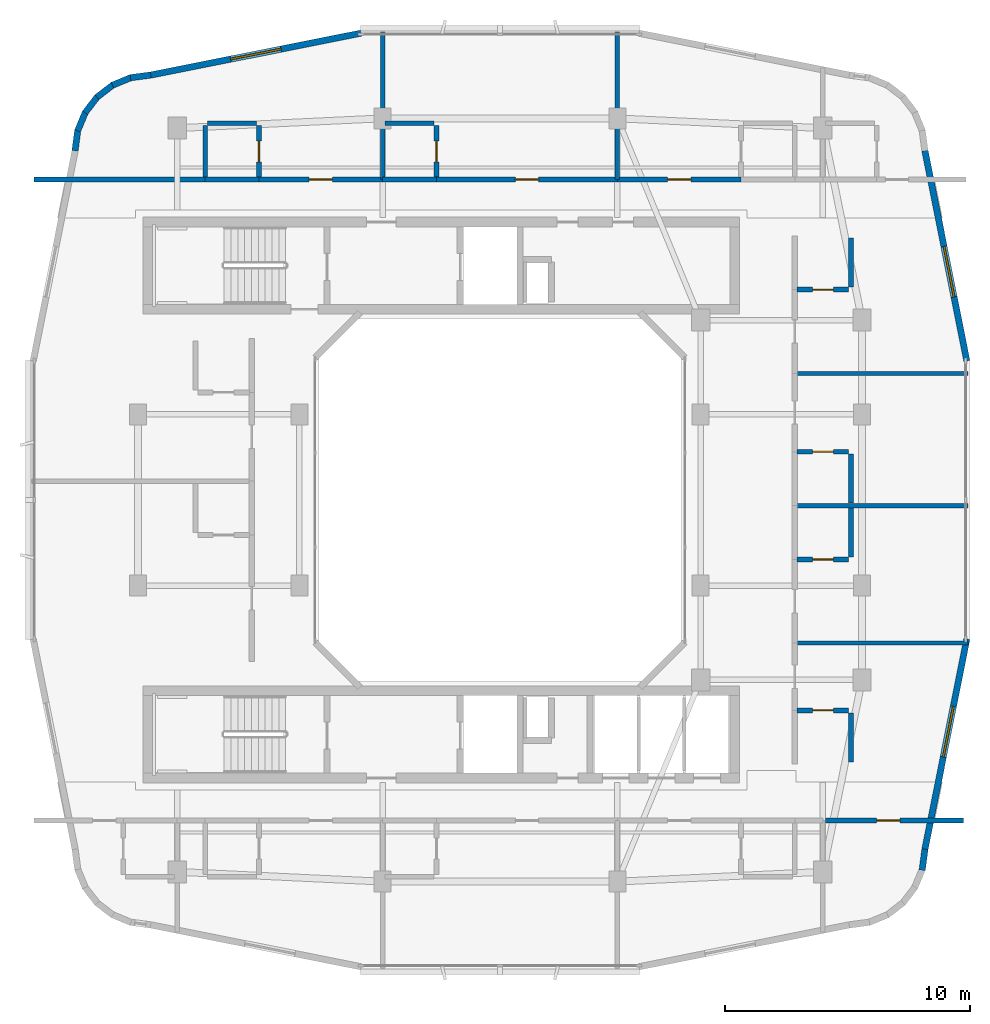
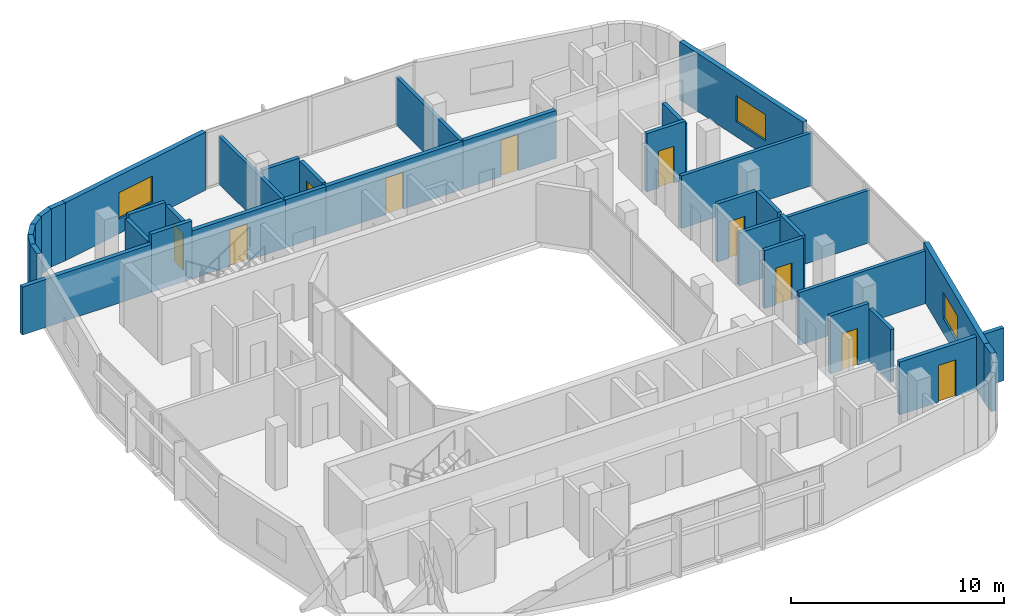
# One storey, part 9 of 14: 35 walls, 10 doors, 3 windows, 13 openings.
"""IFC4 building model written with IfcOpenShell, lengths in metres."""

from ifc_helpers import new_model, si_unit, derived_unit, direction, frame, frame_2d, origin, place, context, subcontext, project, spatial, rectangle, extrude, material, layer, layer_set, type_object, element, fill, save


model = new_model("IFC4")

# Units and contexts
model_context = context("Model", 3, precision=1e-05, world=origin(), true_north=direction((0.0, 1.0)))
body_context = subcontext(model_context, "Body", "Model", "MODEL_VIEW")
ifc_project = project(units=[si_unit("LENGTHUNIT", "METRE"), si_unit("AREAUNIT", "SQUARE_METRE"), si_unit("VOLUMEUNIT", "CUBIC_METRE"), si_unit("PLANEANGLEUNIT", "RADIAN"), si_unit("MASSUNIT", "GRAM", prefix="KILO"), derived_unit("THERMALTRANSMITTANCEUNIT", [(si_unit("POWERUNIT", "WATT"), 1), (si_unit("LENGTHUNIT", "METRE"), -2), (si_unit("THERMODYNAMICTEMPERATUREUNIT", "KELVIN"), -1)])], contexts=[model_context])

# Site, building, storey
site_placement = place(None, origin())
site = spatial("IfcSite", under=ifc_project, at=site_placement, CompositionType="ELEMENT")
building_placement = place(site_placement, origin())
building = spatial("IfcBuilding", under=site, at=building_placement, Name="Kivonza Crest Hotel", CompositionType="ELEMENT")
storey_placement = place(building_placement, frame((0.0, 0.0, 227.89990234375)))
storey = spatial("IfcBuildingStorey", under=building, at=storey_placement, Name="L62", CompositionType="ELEMENT", Elevation=227.89990234375)

# Walls
ifc_material_1 = material(Name="High-density acoustic masonry inter-tenancy wall", Category="masonry")
ifc_layer_1 = layer(ifc_material_1, 0.179931640625)
ifc_layer_set_1 = layer_set([ifc_layer_1], Name="High-density acoustic masonry inter-tenancy wall")
wall_type_1 = type_object("IfcWallType", Name="WL-ACOU-180", PredefinedType="SOLIDWALL", material=ifc_layer_set_1)
for number, where, z_axis, x_axis, name in (
    (1, (16.199951171875, 38.10009765625, 0.0), (0.0, 0.0, 1.0), (0.0, 1.0, 0.0), "L62 interior partition WA-L62-T1N-DIV1"),
    (2, (25.800048828125, 38.10009765625, 0.0), (0.0, 0.0, 1.0), (0.0, 1.0, 0.0), "L62 interior partition WA-L62-T1N-DIV2"),
):
    element("IfcWall", number, at=place(storey_placement, frame(where, z_axis=z_axis, x_axis=x_axis)), inside=storey, type_object=wall_type_1, Name=name, PredefinedType="SOLIDWALL", context=body_context, shape_type="SweptSolid", body=[
        extrude(rectangle(XDim=6.039794921875, YDim=0.179931640625, at=frame_2d((3.02001953125, 0.0))), origin(), (0.0, 0.0, 1.0), 2.7451171875),
    ])
wall_1_placement = place(storey_placement, frame((33.050048828125, 19.156005859375, 0.0), z_axis=(0.0, 0.0, 1.0), x_axis=(1.0, 0.0, 0.0)))
element("IfcWall", 3, at=wall_1_placement, inside=storey, type_object=wall_type_1, Name="L62 interior partition WA-L62-T1E-DIV1", PredefinedType="SOLIDWALL", context=body_context, shape_type="SweptSolid", body=[
    extrude(rectangle(XDim=7.072021484375, YDim=0.179931640625, at=frame_2d((3.5361328125, 0.0))), origin(), (0.0, 0.0, 1.0), 3.01513671875),
])
for number, where, z_axis, x_axis, name in (
    (4, (33.050048828125, 24.77197265625, 0.0), (0.0, 0.0, 1.0), (1.0, 0.0, 0.0), "L62 interior partition WA-L62-T1E-DIV2"),
    (5, (33.050048828125, 30.172119140625, 0.0), (0.0, 0.0, 1.0), (1.0, 0.0, 0.0), "L62 interior partition WA-L62-T1E-DIV3"),
):
    element("IfcWall", number, at=place(storey_placement, frame(where, z_axis=z_axis, x_axis=x_axis)), inside=storey, type_object=wall_type_1, Name=name, PredefinedType="SOLIDWALL", context=body_context, shape_type="SweptSolid", body=[
        extrude(rectangle(XDim=7.08984375, YDim=0.179931640625, at=frame_2d((3.544921875, 0.0))), origin(), (0.0, 0.0, 1.0), 3.01513671875),
    ])
ifc_material_2 = material(Name="Autoclaved aerated concrete blockwork", Category="masonry")
ifc_layer_2 = layer(ifc_material_2, 0.219970703125)
ifc_layer_set_2 = layer_set([ifc_layer_2], Name="Autoclaved aerated concrete blockwork")
wall_type_2 = type_object("IfcWallType", Name="WL-ACOU-220", PredefinedType="SOLIDWALL", material=ifc_layer_set_2)
wall_2_placement = place(storey_placement, frame((1.9599609375, 38.10009765625, 0.0), z_axis=(0.0, 0.0, 1.0), x_axis=(1.0, 0.0, 0.0)))
element("IfcWall", 6, at=wall_2_placement, inside=storey, type_object=wall_type_2, Name="L62 interior partition WA-L62-N01-XCORR", PredefinedType="SOLIDWALL", context=body_context, shape_type="SweptSolid", body=[
    extrude(rectangle(XDim=6.989990234375, YDim=0.219970703125, at=frame_2d((3.4951171875, 0.0))), origin(), (0.0, 0.0, 1.0), 2.7451171875),
])
wall_3_placement = place(storey_placement, frame((8.949951171875, 38.10009765625, 0.0), z_axis=(0.0, 0.0, 1.0), x_axis=(1.0, 0.0, 0.0)))
element("IfcWall", 7, at=wall_3_placement, inside=storey, type_object=wall_type_2, Name="L62 interior partition WA-L62-N01-BCORR", PredefinedType="SOLIDWALL", context=body_context, shape_type="SweptSolid", body=[
    extrude(rectangle(XDim=2.199951171875, YDim=0.219970703125, at=frame_2d((1.10009765625, 0.0))), origin(), (0.0, 0.0, 1.0), 3.320068359375),
])

# Wall, opening, door
wall_4_placement = place(storey_placement, frame((11.14990234375, 38.10009765625, 0.0), z_axis=(0.0, 0.0, 1.0), x_axis=(1.0, 0.0, 0.0)))
wall_4 = element("IfcWall", 8, at=wall_4_placement, inside=storey, type_object=wall_type_2, Name="L62 interior partition WA-L62-N01-MCORR", PredefinedType="SOLIDWALL", context=body_context, shape_type="SweptSolid", body=[
    extrude(rectangle(XDim=5.050048828125, YDim=0.219970703125, at=frame_2d((2.52490234375, 0.0))), origin(), (0.0, 0.0, 1.0), 2.7451171875),
])
opening_1_placement = place(wall_4_placement, frame((2.050048828125, 0.0, 0.0)))
opening_1 = element("IfcOpeningElement", 9, at=opening_1_placement, cuts=wall_4, Name="Opening DU-60", PredefinedType="OPENING", context=body_context, shape_type="SweptSolid", body=[
    extrude(rectangle(XDim=0.949951171875, YDim=2.10009765625, at=frame_2d((0.47509765625, 1.050048828125))), frame((0.0, 0.1201171875, 0.0), z_axis=(0.0, -1.0, 0.0), x_axis=(1.0, 0.0, 0.0)), (0.0, 0.0, 1.0), 0.239990234375),
])
ifc_material_3 = material(Name="Hardwood timber oak", Category="wood")
door_type_1 = type_object("IfcDoorType", Name="DR-UNIT-950", OperationType="NOTDEFINED", PredefinedType="DOOR", material=ifc_material_3)
door_1_placement = place(opening_1_placement, origin())
door_1 = element("IfcDoor", 10, at=door_1_placement, inside=storey, type_object=door_type_1, Name="L62 N01 guest unit entrance fire door", OperationType="SINGLE_SWING_LEFT", OverallHeight=2.10009765625, OverallWidth=0.949951171875, PredefinedType="DOOR", context=body_context, shape_type="SweptSolid", body=[
    extrude(rectangle(XDim=0.949951171875, YDim=2.10009765625, at=frame_2d((0.47509765625, 1.050048828125))), frame((0.0, 0.02490234375, 0.0), z_axis=(0.0, -1.0, 0.0), x_axis=(1.0, 0.0, 0.0)), (0.0, 0.0, 1.0), 0.050048828125),
])
fill(opening_1, door_1)

# Wall
wall_5_placement = place(storey_placement, frame((16.199951171875, 38.10009765625, 0.0), z_axis=(0.0, 0.0, 1.0), x_axis=(1.0, 0.0, 0.0)))
element("IfcWall", 11, at=wall_5_placement, inside=storey, type_object=wall_type_2, Name="L62 interior partition WA-L62-N02-BCORR", PredefinedType="SOLIDWALL", context=body_context, shape_type="SweptSolid", body=[
    extrude(rectangle(XDim=2.199951171875, YDim=0.219970703125, at=frame_2d((1.10009765625, 0.0))), origin(), (0.0, 0.0, 1.0), 2.7451171875),
])

# Wall, opening, door
wall_6_placement = place(storey_placement, frame((18.39990234375, 38.10009765625, 0.0), z_axis=(0.0, 0.0, 1.0), x_axis=(1.0, 0.0, 0.0)))
wall_6 = element("IfcWall", 12, at=wall_6_placement, inside=storey, type_object=wall_type_2, Name="L62 interior partition WA-L62-N02-MCORR", PredefinedType="SOLIDWALL", context=body_context, shape_type="SweptSolid", body=[
    extrude(rectangle(XDim=7.400146484375, YDim=0.219970703125, at=frame_2d((3.7001953125, 0.0))), origin(), (0.0, 0.0, 1.0), 2.7451171875),
])
opening_2_placement = place(wall_6_placement, frame((3.22509765625, 0.0, 0.0)))
opening_2 = element("IfcOpeningElement", 13, at=opening_2_placement, cuts=wall_6, Name="Opening DU-60", PredefinedType="OPENING", context=body_context, shape_type="SweptSolid", body=[
    extrude(rectangle(XDim=0.949951171875, YDim=2.10009765625, at=frame_2d((0.47509765625, 1.050048828125))), frame((0.0, 0.1201171875, 0.0), z_axis=(0.0, -1.0, 0.0), x_axis=(1.0, 0.0, 0.0)), (0.0, 0.0, 1.0), 0.239990234375),
])
door_2_placement = place(opening_2_placement, origin())
door_2 = element("IfcDoor", 14, at=door_2_placement, inside=storey, type_object=door_type_1, Name="L62 N02 guest unit entrance fire door", OperationType="SINGLE_SWING_RIGHT", OverallHeight=2.10009765625, OverallWidth=0.949951171875, PredefinedType="DOOR", context=body_context, shape_type="SweptSolid", body=[
    extrude(rectangle(XDim=0.949951171875, YDim=2.10009765625, at=frame_2d((0.47509765625, 1.050048828125))), frame((0.0, 0.02490234375, 0.0), z_axis=(0.0, -1.0, 0.0), x_axis=(1.0, 0.0, 0.0)), (0.0, 0.0, 1.0), 0.050048828125),
])
fill(opening_2, door_2)

wall_7_placement = place(storey_placement, frame((25.800048828125, 38.10009765625, 0.0), z_axis=(0.0, 0.0, 1.0), x_axis=(1.0, 0.0, 0.0)))
wall_7 = element("IfcWall", 15, at=wall_7_placement, inside=storey, type_object=wall_type_2, Name="L62 interior partition WA-L62-N03-MCORR", PredefinedType="SOLIDWALL", context=body_context, shape_type="SweptSolid", body=[
    extrude(rectangle(XDim=5.050048828125, YDim=0.219970703125, at=frame_2d((2.52490234375, 0.0))), origin(), (0.0, 0.0, 1.0), 2.7451171875),
])
opening_3_placement = place(wall_7_placement, frame((2.050048828125, 0.0, 0.0)))
opening_3 = element("IfcOpeningElement", 16, at=opening_3_placement, cuts=wall_7, Name="Opening DU-60", PredefinedType="OPENING", context=body_context, shape_type="SweptSolid", body=[
    extrude(rectangle(XDim=0.949951171875, YDim=2.10009765625, at=frame_2d((0.47509765625, 1.050048828125))), frame((0.0, 0.1201171875, 0.0), z_axis=(0.0, -1.0, 0.0), x_axis=(1.0, 0.0, 0.0)), (0.0, 0.0, 1.0), 0.239990234375),
])
door_3_placement = place(opening_3_placement, origin())
door_3 = element("IfcDoor", 17, at=door_3_placement, inside=storey, type_object=door_type_1, Name="L62 N03 guest unit entrance fire door", OperationType="SINGLE_SWING_LEFT", OverallHeight=2.10009765625, OverallWidth=0.949951171875, PredefinedType="DOOR", context=body_context, shape_type="SweptSolid", body=[
    extrude(rectangle(XDim=0.949951171875, YDim=2.10009765625, at=frame_2d((0.47509765625, 1.050048828125))), frame((0.0, 0.02490234375, 0.0), z_axis=(0.0, -1.0, 0.0), x_axis=(1.0, 0.0, 0.0)), (0.0, 0.0, 1.0), 0.050048828125),
])
fill(opening_3, door_3)

wall_8_placement = place(storey_placement, frame((34.300048828125, 11.89990234375, 0.0), z_axis=(0.0, 0.0, 1.0), x_axis=(1.0, 0.0, 0.0)))
wall_8 = element("IfcWall", 18, at=wall_8_placement, inside=storey, type_object=wall_type_2, Name="L62 interior partition WA-L62-BUS-MTG-N", PredefinedType="SOLIDWALL", context=body_context, shape_type="SweptSolid", body=[
    extrude(rectangle(XDim=5.639892578125, YDim=0.219970703125, at=frame_2d((2.81982421875, 0.0))), origin(), (0.0, 0.0, 1.0), 3.01513671875),
])
opening_4_placement = place(wall_8_placement, frame((2.10009765625, 0.0, 0.0)))
opening_4 = element("IfcOpeningElement", 19, at=opening_4_placement, cuts=wall_8, Name="Opening DF-60S", PredefinedType="OPENING", context=body_context, shape_type="SweptSolid", body=[
    extrude(rectangle(XDim=0.949951171875, YDim=2.10009765625, at=frame_2d((0.47509765625, 1.050048828125))), frame((0.0, 0.1201171875, 0.0), z_axis=(0.0, -1.0, 0.0), x_axis=(1.0, 0.0, 0.0)), (0.0, 0.0, 1.0), 0.239990234375),
])
door_type_2 = type_object("IfcDoorType", Name="DR-FD60-950", OperationType="NOTDEFINED", PredefinedType="DOOR", material=ifc_material_3)
door_4_placement = place(opening_4_placement, frame((0.949951171875, 0.0, 0.0), z_axis=(0.0, 0.0, 1.0), x_axis=(-1.0, 0.0, 0.0)))
door_4 = element("IfcDoor", 20, at=door_4_placement, inside=storey, type_object=door_type_2, Name="L62 Floor Beverage Kitchen door", OperationType="SINGLE_SWING_RIGHT", OverallHeight=2.10009765625, OverallWidth=0.949951171875, PredefinedType="DOOR", context=body_context, shape_type="SweptSolid", body=[
    extrude(rectangle(XDim=0.949951171875, YDim=2.10009765625, at=frame_2d((0.47509765625, 1.050048828125))), frame((0.0, 0.02490234375, 0.0), z_axis=(0.0, -1.0, 0.0), x_axis=(1.0, 0.0, 0.0)), (0.0, 0.0, 1.0), 0.050048828125),
])
fill(opening_4, door_4)

# Wall
ifc_material_4 = material(Name="Precast concrete C40/50", Category="concrete")
ifc_layer_3 = layer(ifc_material_4, 0.260009765625)
ifc_layer_set_3 = layer_set([ifc_layer_3], Name="Precast concrete C40/50")
wall_type_3 = type_object("IfcWallType", Name="WL-EXT-260", PredefinedType="STANDARD", material=ifc_layer_set_3)
wall_9_placement = place(storey_placement, frame((38.259033203125, 9.864013671875, 0.0), z_axis=(0.0, 0.0, 1.0), x_axis=(0.130156359936, 0.991493480548, 0.0)))
element("IfcWall", 21, at=wall_9_placement, inside=storey, type_object=wall_type_3, Name="L62 T1 exterior insulated wall 15", PredefinedType="STANDARD", context=body_context, shape_type="SweptSolid", body=[
    extrude(rectangle(XDim=0.868408203125, YDim=0.260009765625, at=frame_2d((0.43408203125, 0.0))), origin(), (0.0, 0.0, 1.0), 3.320068359375),
])

# Wall, opening, window
wall_10_placement = place(storey_placement, frame((38.37109375, 10.717041015625, 0.0), z_axis=(0.0, 0.0, 1.0), x_axis=(0.195291715883, 0.980745199176, 0.0)))
wall_10 = element("IfcWall", 22, at=wall_10_placement, inside=storey, type_object=wall_type_3, Name="L62 T1 exterior insulated wall 16", PredefinedType="STANDARD", context=body_context, shape_type="SweptSolid", body=[
    extrude(rectangle(XDim=8.77099609375, YDim=0.260009765625, at=frame_2d((4.385498046875, 0.0))), origin(), (0.0, 0.0, 1.0), 3.320068359375),
])
opening_5_placement = place(wall_10_placement, frame((3.85498046875, 0.0, 0.85009765625)))
opening_5 = element("IfcOpeningElement", 23, at=opening_5_placement, cuts=wall_10, Name="Opening WN-04", PredefinedType="OPENING", context=body_context, shape_type="SweptSolid", body=[
    extrude(rectangle(XDim=2.10009765625, YDim=1.5, at=frame_2d((1.050048828125, 0.75))), frame((0.0, 0.14013671875, 0.0), z_axis=(0.0, -1.0, 0.0), x_axis=(1.0, 0.0, 0.0)), (0.0, 0.0, 1.0), 0.280029296875),
])
ifc_material_5 = material(Name="Thermally broken bronze aluminium and low-E double glazing", Category="aluminium")
window_type = type_object("IfcWindowType", Name="WN-210x150", PartitioningType="DOUBLE_PANEL_VERTICAL", PredefinedType="WINDOW", material=ifc_material_5)
window_1_placement = place(opening_5_placement, origin())
window_1 = element("IfcWindow", 24, at=window_1_placement, inside=storey, type_object=window_type, Name="L62 T1 facade window 16", OverallHeight=1.5, OverallWidth=2.10009765625, PartitioningType="SINGLE_PANEL", PredefinedType="WINDOW", context=body_context, shape_type="SweptSolid", body=[
    extrude(rectangle(XDim=2.10009765625, YDim=1.5, at=frame_2d((1.050048828125, 0.75))), frame((0.0, 0.030029296875, 0.0), z_axis=(0.0, -1.0, 0.0), x_axis=(1.0, 0.0, 0.0)), (0.0, 0.0, 1.0), 0.06005859375),
])
fill(opening_5, window_1)

wall_11_placement = place(storey_placement, frame((40.083984375, 30.680908203125, 0.0), z_axis=(0.0, 0.0, 1.0), x_axis=(-0.195291715883, 0.980745199176, 0.0)))
wall_11 = element("IfcWall", 25, at=wall_11_placement, inside=storey, type_object=wall_type_3, Name="L62 T1 exterior insulated wall 18", PredefinedType="STANDARD", context=body_context, shape_type="SweptSolid", body=[
    extrude(rectangle(XDim=8.77099609375, YDim=0.260009765625, at=frame_2d((4.385498046875, 0.0))), origin(), (0.0, 0.0, 1.0), 3.320068359375),
])
opening_6_placement = place(wall_11_placement, frame((2.669921875, 0.0, 0.85009765625)))
opening_6 = element("IfcOpeningElement", 26, at=opening_6_placement, cuts=wall_11, Name="Opening WN-04", PredefinedType="OPENING", context=body_context, shape_type="SweptSolid", body=[
    extrude(rectangle(XDim=2.10009765625, YDim=1.5, at=frame_2d((1.050048828125, 0.75))), frame((0.0, 0.14013671875, 0.0), z_axis=(0.0, -1.0, 0.0), x_axis=(1.0, 0.0, 0.0)), (0.0, 0.0, 1.0), 0.280029296875),
])
window_2_placement = place(opening_6_placement, origin())
window_2 = element("IfcWindow", 27, at=window_2_placement, inside=storey, type_object=window_type, Name="L62 T1 facade window 18", OverallHeight=1.5, OverallWidth=2.10009765625, PartitioningType="SINGLE_PANEL", PredefinedType="WINDOW", context=body_context, shape_type="SweptSolid", body=[
    extrude(rectangle(XDim=2.10009765625, YDim=1.5, at=frame_2d((1.050048828125, 0.75))), frame((0.0, 0.030029296875, 0.0), z_axis=(0.0, -1.0, 0.0), x_axis=(1.0, 0.0, 0.0)), (0.0, 0.0, 1.0), 0.06005859375),
])
fill(opening_6, window_2)

wall_12_placement = place(storey_placement, frame((15.319091796875, 44.083984375, 0.0), z_axis=(0.0, 0.0, 1.0), x_axis=(-0.980745199176, -0.195291715883, 0.0)))
wall_12 = element("IfcWall", 28, at=wall_12_placement, inside=storey, type_object=wall_type_3, Name="L62 T1 exterior insulated wall 27", PredefinedType="STANDARD", context=body_context, shape_type="SweptSolid", body=[
    extrude(rectangle(XDim=8.77099609375, YDim=0.260009765625, at=frame_2d((4.385498046875, 0.0))), origin(), (0.0, 0.0, 1.0), 3.320068359375),
])
opening_7_placement = place(wall_12_placement, frame((3.3349609375, 0.0, 0.85009765625)))
opening_7 = element("IfcOpeningElement", 29, at=opening_7_placement, cuts=wall_12, Name="Opening WN-04", PredefinedType="OPENING", context=body_context, shape_type="SweptSolid", body=[
    extrude(rectangle(XDim=2.10009765625, YDim=1.5, at=frame_2d((1.050048828125, 0.75))), frame((0.0, 0.14013671875, 0.0), z_axis=(0.0, -1.0, 0.0), x_axis=(1.0, 0.0, 0.0)), (0.0, 0.0, 1.0), 0.280029296875),
])
window_3_placement = place(opening_7_placement, origin())
window_3 = element("IfcWindow", 30, at=window_3_placement, inside=storey, type_object=window_type, Name="L62 T1 facade window 27", OverallHeight=1.5, OverallWidth=2.10009765625, PartitioningType="SINGLE_PANEL", PredefinedType="WINDOW", context=body_context, shape_type="SweptSolid", body=[
    extrude(rectangle(XDim=2.10009765625, YDim=1.5, at=frame_2d((1.050048828125, 0.75))), frame((0.0, 0.030029296875, 0.0), z_axis=(0.0, -1.0, 0.0), x_axis=(1.0, 0.0, 0.0)), (0.0, 0.0, 1.0), 0.06005859375),
])
fill(opening_7, window_3)

# Walls
wall_13_placement = place(storey_placement, frame((6.72509765625, 42.3720703125, 0.0), z_axis=(0.0, 0.0, 1.0), x_axis=(-0.9913883573, -0.130954667764, 0.0)))
element("IfcWall", 31, at=wall_13_placement, inside=storey, type_object=wall_type_3, Name="L62 T1 exterior insulated wall 28", PredefinedType="STANDARD", context=body_context, shape_type="SweptSolid", body=[
    extrude(rectangle(XDim=0.833251953125, YDim=0.260009765625, at=frame_2d((0.41650390625, 0.0))), origin(), (0.0, 0.0, 1.0), 3.320068359375),
])
wall_14_placement = place(storey_placement, frame((5.945068359375, 42.281005859375, 0.0), z_axis=(0.0, 0.0, 1.0), x_axis=(-0.923754491172, -0.382985169477, 0.0)))
element("IfcWall", 32, at=wall_14_placement, inside=storey, type_object=wall_type_3, Name="L62 T1 exterior insulated wall 29", PredefinedType="STANDARD", context=body_context, shape_type="SweptSolid", body=[
    extrude(rectangle(XDim=0.85107421875, YDim=0.260009765625, at=frame_2d((0.425537109375, 0.0))), origin(), (0.0, 0.0, 1.0), 3.320068359375),
])
for number, where, z_axis, x_axis, name in (
    (33, (5.198974609375, 41.98291015625, 0.0), (0.0, 0.0, 1.0), (-0.793999057278, -0.607918988881, 0.0), "L62 T1 exterior insulated wall 30"),
    (34, (4.554931640625, 41.50390625, 0.0), (0.0, 0.0, 1.0), (-0.608057619941, -0.793892896323, 0.0), "L62 T1 exterior insulated wall 31"),
):
    element("IfcWall", number, at=place(storey_placement, frame(where, z_axis=z_axis, x_axis=x_axis)), inside=storey, type_object=wall_type_3, Name=name, PredefinedType="STANDARD", context=body_context, shape_type="SweptSolid", body=[
        extrude(rectangle(XDim=0.85009765625, YDim=0.260009765625, at=frame_2d((0.425048828125, 0.0))), origin(), (0.0, 0.0, 1.0), 3.320068359375),
    ])
wall_15_placement = place(storey_placement, frame((4.05908203125, 40.873046875, 0.0), z_axis=(0.0, 0.0, 1.0), x_axis=(-0.383229930484, -0.923652976167, 0.0)))
element("IfcWall", 35, at=wall_15_placement, inside=storey, type_object=wall_type_3, Name="L62 T1 exterior insulated wall 32", PredefinedType="STANDARD", context=body_context, shape_type="SweptSolid", body=[
    extrude(rectangle(XDim=0.85107421875, YDim=0.260009765625, at=frame_2d((0.425537109375, 0.0))), origin(), (0.0, 0.0, 1.0), 3.320068359375),
])
wall_16_placement = place(storey_placement, frame((3.740966796875, 40.135986328125, 0.0), z_axis=(0.0, 0.0, 1.0), x_axis=(-0.130156359936, -0.991493480548, 0.0)))
element("IfcWall", 36, at=wall_16_placement, inside=storey, type_object=wall_type_3, Name="L62 T1 exterior insulated wall 33", PredefinedType="STANDARD", context=body_context, shape_type="SweptSolid", body=[
    extrude(rectangle(XDim=0.868408203125, YDim=0.260009765625, at=frame_2d((0.43408203125, 0.0))), origin(), (0.0, 0.0, 1.0), 3.320068359375),
])

# Wall, opening, door
ifc_material_6 = material(Name="Moisture-resistant plumbing chase partition wall", Category="gypsum")
ifc_layer_4 = layer(ifc_material_6, 0.199951171875)
ifc_layer_set_4 = layer_set([ifc_layer_4], Name="Moisture-resistant plumbing chase partition wall")
wall_type_4 = type_object("IfcWallType", Name="WL-PLUMB-200", PredefinedType="PLUMBINGWALL", material=ifc_layer_set_4)
wall_17_placement = place(storey_placement, frame((11.14990234375, 38.199951171875, 0.0), z_axis=(0.0, 0.0, 1.0), x_axis=(0.0, 1.0, 0.0)))
wall_17 = element("IfcWall", 37, at=wall_17_placement, inside=storey, type_object=wall_type_4, Name="L62 interior partition WW-L62-N01-BV", PredefinedType="PLUMBINGWALL", context=body_context, shape_type="SweptSolid", body=[
    extrude(rectangle(XDim=2.10009765625, YDim=0.199951171875, at=frame_2d((1.050048828125, 0.0))), origin(), (0.0, 0.0, 1.0), 2.84521484375),
])
opening_8_placement = place(wall_17_placement, frame((0.625, 0.0, 0.0)))
opening_8 = element("IfcOpeningElement", 38, at=opening_8_placement, cuts=wall_17, Name="Opening DI-85", PredefinedType="OPENING", context=body_context, shape_type="SweptSolid", body=[
    extrude(rectangle(XDim=0.85009765625, YDim=2.10009765625, at=frame_2d((0.425048828125, 1.050048828125))), frame((0.0, 0.10986328125, 0.0), z_axis=(0.0, -1.0, 0.0), x_axis=(1.0, 0.0, 0.0)), (0.0, 0.0, 1.0), 0.219970703125),
])
door_type_3 = type_object("IfcDoorType", Name="DR-INT-850", OperationType="NOTDEFINED", PredefinedType="DOOR", material=ifc_material_3)
door_5_placement = place(opening_8_placement, frame((0.85009765625, 0.0, 0.0), z_axis=(0.0, 0.0, 1.0), x_axis=(-1.0, 0.0, 0.0)))
door_5 = element("IfcDoor", 39, at=door_5_placement, inside=storey, type_object=door_type_3, Name="L62 N01 en-suite bathroom door", OperationType="SINGLE_SWING_RIGHT", OverallHeight=2.10009765625, OverallWidth=0.85009765625, PredefinedType="DOOR", context=body_context, shape_type="SweptSolid", body=[
    extrude(rectangle(XDim=0.85009765625, YDim=2.10009765625, at=frame_2d((0.425048828125, 1.050048828125))), frame((0.0, 0.02490234375, 0.0), z_axis=(0.0, -1.0, 0.0), x_axis=(1.0, 0.0, 0.0)), (0.0, 0.0, 1.0), 0.050048828125),
])
fill(opening_8, door_5)

# Walls
wall_18_placement = place(storey_placement, frame((9.050048828125, 40.39990234375, 0.0), z_axis=(0.0, 0.0, 1.0), x_axis=(1.0, 0.0, 0.0)))
element("IfcWall", 40, at=wall_18_placement, inside=storey, type_object=wall_type_4, Name="L62 interior partition WW-L62-N01-BH", PredefinedType="PLUMBINGWALL", context=body_context, shape_type="SweptSolid", body=[
    extrude(rectangle(XDim=2.0, YDim=0.199951171875, at=frame_2d((1.0, 0.0))), origin(), (0.0, 0.0, 1.0), 3.01513671875),
])
wall_19_placement = place(storey_placement, frame((8.949951171875, 38.199951171875, 0.0), z_axis=(0.0, 0.0, 1.0), x_axis=(0.0, 1.0, 0.0)))
element("IfcWall", 41, at=wall_19_placement, inside=storey, type_object=wall_type_4, Name="L62 interior partition WW-L62-N01-BVW", PredefinedType="PLUMBINGWALL", context=body_context, shape_type="SweptSolid", body=[
    extrude(rectangle(XDim=2.10009765625, YDim=0.199951171875, at=frame_2d((1.050048828125, 0.0))), origin(), (0.0, 0.0, 1.0), 2.84521484375),
])

# Wall, opening, door
wall_20_placement = place(storey_placement, frame((18.39990234375, 38.199951171875, 0.0), z_axis=(0.0, 0.0, 1.0), x_axis=(0.0, 1.0, 0.0)))
wall_20 = element("IfcWall", 42, at=wall_20_placement, inside=storey, type_object=wall_type_4, Name="L62 interior partition WW-L62-N02-BV", PredefinedType="PLUMBINGWALL", context=body_context, shape_type="SweptSolid", body=[
    extrude(rectangle(XDim=2.10009765625, YDim=0.199951171875, at=frame_2d((1.050048828125, 0.0))), origin(), (0.0, 0.0, 1.0), 2.84521484375),
])
opening_9_placement = place(wall_20_placement, frame((0.625, 0.0, 0.0)))
opening_9 = element("IfcOpeningElement", 43, at=opening_9_placement, cuts=wall_20, Name="Opening DI-85", PredefinedType="OPENING", context=body_context, shape_type="SweptSolid", body=[
    extrude(rectangle(XDim=0.85009765625, YDim=2.10009765625, at=frame_2d((0.425048828125, 1.050048828125))), frame((0.0, 0.10986328125, 0.0), z_axis=(0.0, -1.0, 0.0), x_axis=(1.0, 0.0, 0.0)), (0.0, 0.0, 1.0), 0.219970703125),
])
door_6_placement = place(opening_9_placement, frame((0.85009765625, 0.0, 0.0), z_axis=(0.0, 0.0, 1.0), x_axis=(-1.0, 0.0, 0.0)))
door_6 = element("IfcDoor", 44, at=door_6_placement, inside=storey, type_object=door_type_3, Name="L62 N02 en-suite bathroom door", OperationType="SINGLE_SWING_LEFT", OverallHeight=2.10009765625, OverallWidth=0.85009765625, PredefinedType="DOOR", context=body_context, shape_type="SweptSolid", body=[
    extrude(rectangle(XDim=0.85009765625, YDim=2.10009765625, at=frame_2d((0.425048828125, 1.050048828125))), frame((0.0, 0.02490234375, 0.0), z_axis=(0.0, -1.0, 0.0), x_axis=(1.0, 0.0, 0.0)), (0.0, 0.0, 1.0), 0.050048828125),
])
fill(opening_9, door_6)

# Wall
wall_21_placement = place(storey_placement, frame((16.300048828125, 40.39990234375, 0.0), z_axis=(0.0, 0.0, 1.0), x_axis=(1.0, 0.0, 0.0)))
element("IfcWall", 45, at=wall_21_placement, inside=storey, type_object=wall_type_4, Name="L62 interior partition WW-L62-N02-BH", PredefinedType="PLUMBINGWALL", context=body_context, shape_type="SweptSolid", body=[
    extrude(rectangle(XDim=2.0, YDim=0.199951171875, at=frame_2d((1.0, 0.0))), origin(), (0.0, 0.0, 1.0), 3.01513671875),
])

# Wall, opening, door
wall_22_placement = place(storey_placement, frame((33.14990234375, 16.39990234375, 0.0), z_axis=(0.0, 0.0, 1.0), x_axis=(1.0, 0.0, 0.0)))
wall_22 = element("IfcWall", 46, at=wall_22_placement, inside=storey, type_object=wall_type_4, Name="L62 interior partition WW-L62-E11-BH", PredefinedType="PLUMBINGWALL", context=body_context, shape_type="SweptSolid", body=[
    extrude(rectangle(XDim=2.10009765625, YDim=0.199951171875, at=frame_2d((1.050048828125, 0.0))), origin(), (0.0, 0.0, 1.0), 3.320068359375),
])
opening_10_placement = place(wall_22_placement, frame((0.625, 0.0, 0.0)))
opening_10 = element("IfcOpeningElement", 47, at=opening_10_placement, cuts=wall_22, Name="Opening DI-85", PredefinedType="OPENING", context=body_context, shape_type="SweptSolid", body=[
    extrude(rectangle(XDim=0.85009765625, YDim=2.10009765625, at=frame_2d((0.425048828125, 1.050048828125))), frame((0.0, 0.10986328125, 0.0), z_axis=(0.0, -1.0, 0.0), x_axis=(1.0, 0.0, 0.0)), (0.0, 0.0, 1.0), 0.219970703125),
])
door_7_placement = place(opening_10_placement, origin())
door_7 = element("IfcDoor", 48, at=door_7_placement, inside=storey, type_object=door_type_3, Name="L62 E11 en-suite bathroom door", OperationType="SINGLE_SWING_RIGHT", OverallHeight=2.10009765625, OverallWidth=0.85009765625, PredefinedType="DOOR", context=body_context, shape_type="SweptSolid", body=[
    extrude(rectangle(XDim=0.85009765625, YDim=2.10009765625, at=frame_2d((0.425048828125, 1.050048828125))), frame((0.0, 0.02490234375, 0.0), z_axis=(0.0, -1.0, 0.0), x_axis=(1.0, 0.0, 0.0)), (0.0, 0.0, 1.0), 0.050048828125),
])
fill(opening_10, door_7)

# Wall
wall_23_placement = place(storey_placement, frame((35.35009765625, 14.300048828125, 0.0), z_axis=(0.0, 0.0, 1.0), x_axis=(0.0, 1.0, 0.0)))
element("IfcWall", 49, at=wall_23_placement, inside=storey, type_object=wall_type_4, Name="L62 interior partition WW-L62-E11-BV", PredefinedType="PLUMBINGWALL", context=body_context, shape_type="SweptSolid", body=[
    extrude(rectangle(XDim=2.0, YDim=0.199951171875, at=frame_2d((1.0, 0.0))), origin(), (0.0, 0.0, 1.0), 3.01513671875),
])

# Wall, opening, door
wall_24_placement = place(storey_placement, frame((33.14990234375, 22.572021484375, 0.0), z_axis=(0.0, 0.0, 1.0), x_axis=(1.0, 0.0, 0.0)))
wall_24 = element("IfcWall", 50, at=wall_24_placement, inside=storey, type_object=wall_type_4, Name="L62 interior partition WW-L62-E12-BH", PredefinedType="PLUMBINGWALL", context=body_context, shape_type="SweptSolid", body=[
    extrude(rectangle(XDim=2.10009765625, YDim=0.199951171875, at=frame_2d((1.050048828125, 0.0))), origin(), (0.0, 0.0, 1.0), 3.320068359375),
])
opening_11_placement = place(wall_24_placement, frame((0.625, 0.0, 0.0)))
opening_11 = element("IfcOpeningElement", 51, at=opening_11_placement, cuts=wall_24, Name="Opening DI-85", PredefinedType="OPENING", context=body_context, shape_type="SweptSolid", body=[
    extrude(rectangle(XDim=0.85009765625, YDim=2.10009765625, at=frame_2d((0.425048828125, 1.050048828125))), frame((0.0, 0.10986328125, 0.0), z_axis=(0.0, -1.0, 0.0), x_axis=(1.0, 0.0, 0.0)), (0.0, 0.0, 1.0), 0.219970703125),
])
door_8_placement = place(opening_11_placement, frame((0.85009765625, 0.0, 0.0), z_axis=(0.0, 0.0, 1.0), x_axis=(-1.0, 0.0, 0.0)))
door_8 = element("IfcDoor", 52, at=door_8_placement, inside=storey, type_object=door_type_3, Name="L62 E12 en-suite bathroom door", OperationType="SINGLE_SWING_LEFT", OverallHeight=2.10009765625, OverallWidth=0.85009765625, PredefinedType="DOOR", context=body_context, shape_type="SweptSolid", body=[
    extrude(rectangle(XDim=0.85009765625, YDim=2.10009765625, at=frame_2d((0.425048828125, 1.050048828125))), frame((0.0, 0.02490234375, 0.0), z_axis=(0.0, -1.0, 0.0), x_axis=(1.0, 0.0, 0.0)), (0.0, 0.0, 1.0), 0.050048828125),
])
fill(opening_11, door_8)

# Wall
wall_25_placement = place(storey_placement, frame((35.35009765625, 22.672119140625, 0.0), z_axis=(0.0, 0.0, 1.0), x_axis=(0.0, 1.0, 0.0)))
element("IfcWall", 53, at=wall_25_placement, inside=storey, type_object=wall_type_4, Name="L62 interior partition WW-L62-E12-BV", PredefinedType="PLUMBINGWALL", context=body_context, shape_type="SweptSolid", body=[
    extrude(rectangle(XDim=2.0, YDim=0.199951171875, at=frame_2d((1.0, 0.0))), origin(), (0.0, 0.0, 1.0), 3.320068359375),
])

# Wall, opening, door
wall_26_placement = place(storey_placement, frame((33.14990234375, 26.971923828125, 0.0), z_axis=(0.0, 0.0, 1.0), x_axis=(1.0, 0.0, 0.0)))
wall_26 = element("IfcWall", 54, at=wall_26_placement, inside=storey, type_object=wall_type_4, Name="L62 interior partition WW-L62-E13-BH", PredefinedType="PLUMBINGWALL", context=body_context, shape_type="SweptSolid", body=[
    extrude(rectangle(XDim=2.10009765625, YDim=0.199951171875, at=frame_2d((1.050048828125, 0.0))), origin(), (0.0, 0.0, 1.0), 3.320068359375),
])
opening_12_placement = place(wall_26_placement, frame((0.625, 0.0, 0.0)))
opening_12 = element("IfcOpeningElement", 55, at=opening_12_placement, cuts=wall_26, Name="Opening DI-85", PredefinedType="OPENING", context=body_context, shape_type="SweptSolid", body=[
    extrude(rectangle(XDim=0.85009765625, YDim=2.10009765625, at=frame_2d((0.425048828125, 1.050048828125))), frame((0.0, 0.10986328125, 0.0), z_axis=(0.0, -1.0, 0.0), x_axis=(1.0, 0.0, 0.0)), (0.0, 0.0, 1.0), 0.219970703125),
])
door_9_placement = place(opening_12_placement, origin())
door_9 = element("IfcDoor", 56, at=door_9_placement, inside=storey, type_object=door_type_3, Name="L62 E13 en-suite bathroom door", OperationType="SINGLE_SWING_RIGHT", OverallHeight=2.10009765625, OverallWidth=0.85009765625, PredefinedType="DOOR", context=body_context, shape_type="SweptSolid", body=[
    extrude(rectangle(XDim=0.85009765625, YDim=2.10009765625, at=frame_2d((0.425048828125, 1.050048828125))), frame((0.0, 0.02490234375, 0.0), z_axis=(0.0, -1.0, 0.0), x_axis=(1.0, 0.0, 0.0)), (0.0, 0.0, 1.0), 0.050048828125),
])
fill(opening_12, door_9)

# Wall
wall_27_placement = place(storey_placement, frame((35.35009765625, 24.8720703125, 0.0), z_axis=(0.0, 0.0, 1.0), x_axis=(0.0, 1.0, 0.0)))
element("IfcWall", 57, at=wall_27_placement, inside=storey, type_object=wall_type_4, Name="L62 interior partition WW-L62-E13-BV", PredefinedType="PLUMBINGWALL", context=body_context, shape_type="SweptSolid", body=[
    extrude(rectangle(XDim=2.0, YDim=0.199951171875, at=frame_2d((1.0, 0.0))), origin(), (0.0, 0.0, 1.0), 3.320068359375),
])

# Wall, opening, door
wall_28_placement = place(storey_placement, frame((33.14990234375, 33.60009765625, 0.0), z_axis=(0.0, 0.0, 1.0), x_axis=(1.0, 0.0, 0.0)))
wall_28 = element("IfcWall", 58, at=wall_28_placement, inside=storey, type_object=wall_type_4, Name="L62 interior partition WW-L62-E14-BH", PredefinedType="PLUMBINGWALL", context=body_context, shape_type="SweptSolid", body=[
    extrude(rectangle(XDim=2.10009765625, YDim=0.199951171875, at=frame_2d((1.050048828125, 0.0))), origin(), (0.0, 0.0, 1.0), 3.320068359375),
])
opening_13_placement = place(wall_28_placement, frame((0.625, 0.0, 0.0)))
opening_13 = element("IfcOpeningElement", 59, at=opening_13_placement, cuts=wall_28, Name="Opening DI-85", PredefinedType="OPENING", context=body_context, shape_type="SweptSolid", body=[
    extrude(rectangle(XDim=0.85009765625, YDim=2.10009765625, at=frame_2d((0.425048828125, 1.050048828125))), frame((0.0, 0.10986328125, 0.0), z_axis=(0.0, -1.0, 0.0), x_axis=(1.0, 0.0, 0.0)), (0.0, 0.0, 1.0), 0.219970703125),
])
door_10_placement = place(opening_13_placement, frame((0.85009765625, 0.0, 0.0), z_axis=(0.0, 0.0, 1.0), x_axis=(-1.0, 0.0, 0.0)))
door_10 = element("IfcDoor", 60, at=door_10_placement, inside=storey, type_object=door_type_3, Name="L62 E14 en-suite bathroom door", OperationType="SINGLE_SWING_LEFT", OverallHeight=2.10009765625, OverallWidth=0.85009765625, PredefinedType="DOOR", context=body_context, shape_type="SweptSolid", body=[
    extrude(rectangle(XDim=0.85009765625, YDim=2.10009765625, at=frame_2d((0.425048828125, 1.050048828125))), frame((0.0, 0.02490234375, 0.0), z_axis=(0.0, -1.0, 0.0), x_axis=(1.0, 0.0, 0.0)), (0.0, 0.0, 1.0), 0.050048828125),
])
fill(opening_13, door_10)

# Wall
wall_29_placement = place(storey_placement, frame((35.35009765625, 33.699951171875, 0.0), z_axis=(0.0, 0.0, 1.0), x_axis=(0.0, 1.0, 0.0)))
element("IfcWall", 61, at=wall_29_placement, inside=storey, type_object=wall_type_4, Name="L62 interior partition WW-L62-E14-BV", PredefinedType="PLUMBINGWALL", context=body_context, shape_type="SweptSolid", body=[
    extrude(rectangle(XDim=2.0, YDim=0.199951171875, at=frame_2d((1.0, 0.0))), origin(), (0.0, 0.0, 1.0), 3.01513671875),
])

save(model, "model.ifc")
